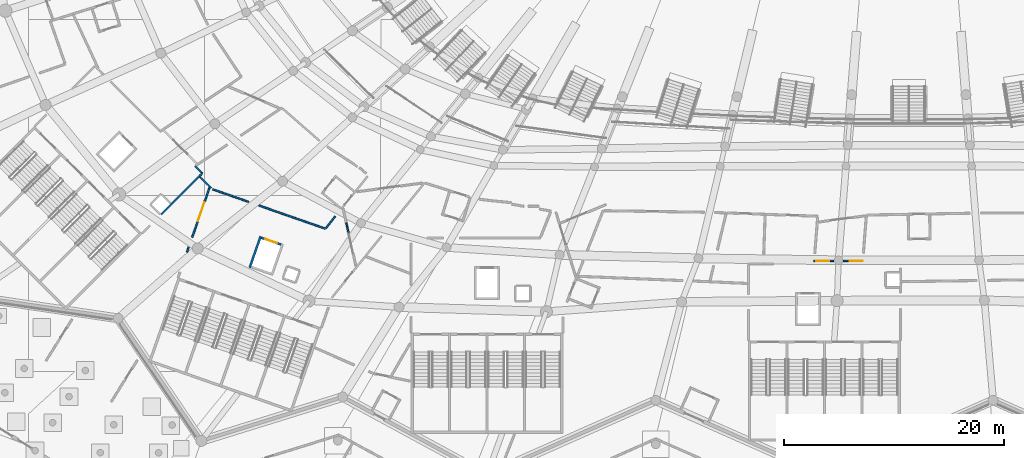
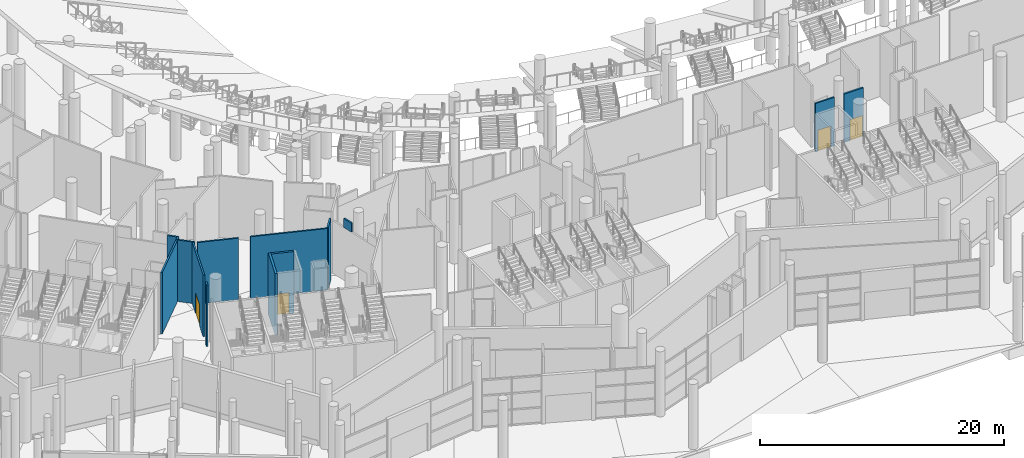
# One storey, part 107 of 255: 14 walls, 4 doors, 4 openings.
"""IFC4 building model written with IfcOpenShell, lengths in metres."""

from ifc_helpers import new_model, si_unit, direction, frame, frame_2d, origin, place, context, subcontext, project, spatial, rectangle, extrude, material, layer, layer_set, type_object, element, fill, save


model = new_model("IFC4")

# Units and contexts
model_context = context("Model", 3, precision=1e-05, world=origin(), true_north=direction((0.0, 1.0)))
body_context = subcontext(model_context, "Body", "Model", "MODEL_VIEW")
ifc_project = project(units=[si_unit("LENGTHUNIT", "METRE"), si_unit("AREAUNIT", "SQUARE_METRE"), si_unit("VOLUMEUNIT", "CUBIC_METRE"), si_unit("PLANEANGLEUNIT", "RADIAN"), si_unit("MASSUNIT", "GRAM", prefix="KILO")], contexts=[model_context])

# Site, building, storey
site_placement = place(None, origin())
site = spatial("IfcSite", under=ifc_project, at=site_placement, CompositionType="ELEMENT")
building_placement = place(site_placement, origin())
building = spatial("IfcBuilding", under=site, at=building_placement, Name="Meseta Stadium", CompositionType="ELEMENT")
storey_placement = place(building_placement, origin())
storey = spatial("IfcBuildingStorey", under=building, at=storey_placement, Name="L00", CompositionType="ELEMENT", Elevation=0.0)

# Wall
ifc_material_1 = material(Name="Concrete C40/50", Category="concrete")
ifc_layer_1 = layer(ifc_material_1, 0.199951171875)
ifc_layer_set_1 = layer_set([ifc_layer_1], Name="Core shaft wall 200")
wall_type_1 = type_object("IfcWallType", Name="Core shaft wall 200", PredefinedType="SHEAR", material=ifc_layer_set_1)
wall_1_placement = place(storey_placement, frame((-59.896240234375, -86.53369140625, 0.0), z_axis=(0.0, 0.0, 1.0), x_axis=(0.330328674497, 0.943865968666, 0.0)))
element("IfcWall", 1, at=wall_1_placement, inside=storey, type_object=wall_type_1, Name="Core 22 L00 lift shaft wall left", PredefinedType="SHEAR", context=body_context, shape_type="SweptSolid", body=[
    extrude(rectangle(XDim=3.0, YDim=0.199951171875, at=frame_2d((1.5, 0.0))), origin(), (0.0, 0.0, 1.0), 6.14990234375),
])

# Wall, opening, door
wall_2_placement = place(storey_placement, frame((-58.843994140625, -83.82958984375, 0.0), z_axis=(0.0, 0.0, 1.0), x_axis=(0.943902418729, -0.330224505327, 0.0)))
wall_2 = element("IfcWall", 2, at=wall_2_placement, inside=storey, type_object=wall_type_1, Name="Core 22 L00 lift shaft front wall", PredefinedType="SHEAR", context=body_context, shape_type="SweptSolid", body=[
    extrude(rectangle(XDim=1.900146484375, YDim=0.199951171875, at=frame_2d((0.9501953125, 0.0))), origin(), (0.0, 0.0, 1.0), 6.14990234375),
])
opening_1_placement = place(wall_2_placement, frame((0.39990234375, 0.0, 0.0)))
opening_1 = element("IfcOpeningElement", 3, at=opening_1_placement, cuts=wall_2, Name="Opening LD121", PredefinedType="OPENING", context=body_context, shape_type="SweptSolid", body=[
    extrude(rectangle(XDim=1.10009765625, YDim=2.10009765625, at=frame_2d((0.550048828125, 1.050048828125))), frame((0.0, 0.10986328125, 0.0), z_axis=(0.0, -1.0, 0.0), x_axis=(1.0, 0.0, 0.0)), (0.0, 0.0, 1.0), 0.219970703125),
])
ifc_material_2 = material(Name="Steel", Category="steel")
door_type_1 = type_object("IfcDoorType", Name="Lift landing door 1100x2100", OperationType="SLIDING_TO_LEFT", PredefinedType="DOOR", material=ifc_material_2)
door_1_placement = place(opening_1_placement, origin())
door_1 = element("IfcDoor", 4, at=door_1_placement, inside=storey, type_object=door_type_1, Name="Lift landing door LD121", OperationType="SLIDING_TO_LEFT", OverallHeight=2.10009765625, OverallWidth=1.10009765625, PredefinedType="DOOR", context=body_context, shape_type="SweptSolid", body=[
    extrude(rectangle(XDim=1.10009765625, YDim=2.10009765625, at=frame_2d((0.550048828125, 1.050048828125))), frame((0.0, 0.02490234375, 0.0), z_axis=(0.0, -1.0, 0.0), x_axis=(1.0, 0.0, 0.0)), (0.0, 0.0, 1.0), 0.050048828125),
])
fill(opening_1, door_1)

# Walls
ifc_material_3 = material(Name="Masonry blockwork", Category="masonry")
ifc_layer_2 = layer(ifc_material_3, 0.14990234375)
ifc_layer_set_2 = layer_set([ifc_layer_2], Name="Partition 150")
wall_type_2 = type_object("IfcWallType", Name="Partition 150", PredefinedType="PARTITIONING", material=ifc_layer_set_2)
wall_3_placement = place(storey_placement, frame((-53.026611328125, -83.004638671875, 0.0), z_axis=(0.0, 0.0, 1.0), x_axis=(-0.943881516526, 0.3302842454, 0.0)))
element("IfcWall", 5, at=wall_3_placement, inside=storey, type_object=wall_type_2, Name="Partition L00 L00-cell20-1-0", PredefinedType="PARTITIONING", context=body_context, shape_type="SweptSolid", body=[
    extrude(rectangle(XDim=6.40869140625, YDim=0.14990234375, at=frame_2d((3.204345703125, 0.0))), origin(), (0.0, 0.0, 1.0), 6.14990234375),
])
wall_4_placement = place(storey_placement, frame((-60.00634765625, -80.5625, 0.0), z_axis=(0.0, 0.0, 1.0), x_axis=(-0.943866077076, 0.33032836473, 0.0)))
element("IfcWall", 6, at=wall_4_placement, inside=storey, type_object=wall_type_2, Name="Partition L00 L00-cell20-1-0", PredefinedType="PARTITIONING", context=body_context, shape_type="SweptSolid", body=[
    extrude(rectangle(XDim=3.45068359375, YDim=0.14990234375, at=frame_2d((1.725341796875, 0.0))), origin(), (0.0, 0.0, 1.0), 6.14990234375),
])
wall_5_placement = place(storey_placement, frame((-63.396240234375, -79.296630859375, 0.0), z_axis=(0.0, 0.0, 1.0), x_axis=(-0.725626624964, 0.688088657909, 0.0)))
element("IfcWall", 7, at=wall_5_placement, inside=storey, type_object=wall_type_2, Name="Partition L00 L00-cell20-1-0", PredefinedType="PARTITIONING", context=body_context, shape_type="SweptSolid", body=[
    extrude(rectangle(XDim=1.515380859375, YDim=0.14990234375, at=frame_2d((0.7578125, 0.0))), origin(), (0.0, 0.0, 1.0), 6.14990234375),
])
wall_6_placement = place(storey_placement, frame((-64.495849609375, -78.25390625, 0.0), z_axis=(0.0, 0.0, 1.0), x_axis=(0.706798874946, 0.707414553409, 0.0)))
element("IfcWall", 8, at=wall_6_placement, inside=storey, type_object=wall_type_2, Name="Partition L00 L00-cell20-1-0", PredefinedType="PARTITIONING", context=body_context, shape_type="SweptSolid", body=[
    extrude(rectangle(XDim=0.396484375, YDim=0.14990234375, at=frame_2d((0.1982421875, 0.0))), origin(), (0.0, 0.0, 1.0), 6.14990234375),
])
wall_7_placement = place(storey_placement, frame((-64.215576171875, -77.973388671875, 0.0), z_axis=(0.0, 0.0, 1.0), x_axis=(-0.707106781187, 0.707106781187, 0.0)))
element("IfcWall", 9, at=wall_7_placement, inside=storey, type_object=wall_type_2, Name="Partition L00 L00-cell20-1-0", PredefinedType="PARTITIONING", context=body_context, shape_type="SweptSolid", body=[
    extrude(rectangle(XDim=0.907470703125, YDim=0.14990234375, at=frame_2d((0.45361328125, 0.0))), origin(), (0.0, 0.0, 1.0), 6.14990234375),
])
wall_8_placement = place(storey_placement, frame((-52.126220703125, -81.888916015625, 0.0), z_axis=(0.0, 0.0, 1.0), x_axis=(-0.628009689921, -0.778205518719, 0.0)))
element("IfcWall", 10, at=wall_8_placement, inside=storey, type_object=wall_type_2, Name="Partition L00 L00-cell20-1-0", PredefinedType="PARTITIONING", context=body_context, shape_type="SweptSolid", body=[
    extrude(rectangle(XDim=1.35400390625, YDim=0.14990234375, at=frame_2d((0.677001953125, 0.0))), origin(), (0.0, 0.0, 1.0), 6.14990234375),
])
wall_9_placement = place(storey_placement, frame((-67.9501953125, -81.708251953125, 0.0), z_axis=(0.0, 0.0, 1.0), x_axis=(0.707106781187, 0.707106781187, 0.0)))
element("IfcWall", 11, at=wall_9_placement, inside=storey, type_object=wall_type_2, Name="Partition L00 L00-cell20-2-0", PredefinedType="PARTITIONING", context=body_context, shape_type="SweptSolid", body=[
    extrude(rectangle(XDim=4.835205078125, YDim=0.14990234375, at=frame_2d((2.41748046875, 0.0))), origin(), (0.0, 0.0, 1.0), 6.14990234375),
])

# Wall, opening, door
wall_10_placement = place(storey_placement, frame((-63.53857421875, -79.230712890625, 0.0), z_axis=(0.0, 0.0, 1.0), x_axis=(-0.330262441411, -0.943889145924, 0.0)))
wall_10 = element("IfcWall", 12, at=wall_10_placement, inside=storey, type_object=wall_type_2, Name="Partition L00 L00-cell20-2-0", PredefinedType="PARTITIONING", context=body_context, shape_type="SweptSolid", body=[
    extrude(rectangle(XDim=4.820556640625, YDim=0.14990234375, at=frame_2d((2.41015625, 0.0))), origin(), (0.0, 0.0, 1.0), 6.14990234375),
])
opening_2_placement = place(wall_10_placement, frame((1.449951171875, 0.0, 0.0)))
opening_2 = element("IfcOpeningElement", 13, at=opening_2_placement, cuts=wall_10, Name="Opening D594", PredefinedType="OPENING", context=body_context, shape_type="SweptSolid", body=[
    extrude(rectangle(XDim=1.800048828125, YDim=2.10009765625, at=frame_2d((0.89990234375, 1.050048828125))), frame((0.0, 0.0849609375, 0.0), z_axis=(0.0, -1.0, 0.0), x_axis=(1.0, 0.0, 0.0)), (0.0, 0.0, 1.0), 0.169921875),
])
ifc_material_4 = material(Name="Timber", Category="wood")
door_type_2 = type_object("IfcDoorType", Name="Room double door 1800x2100", OperationType="DOUBLE_DOOR_SINGLE_SWING", PredefinedType="DOOR", material=ifc_material_4)
door_2_placement = place(opening_2_placement, origin())
door_2 = element("IfcDoor", 14, at=door_2_placement, inside=storey, type_object=door_type_2, Name="Door D594", OperationType="DOUBLE_DOOR_SINGLE_SWING", OverallHeight=2.10009765625, OverallWidth=1.800048828125, PredefinedType="DOOR", context=body_context, shape_type="SweptSolid", body=[
    extrude(rectangle(XDim=1.800048828125, YDim=2.10009765625, at=frame_2d((0.89990234375, 1.050048828125))), frame((0.0, 0.02490234375, 0.0), z_axis=(0.0, -1.0, 0.0), x_axis=(1.0, 0.0, 0.0)), (0.0, 0.0, 1.0), 0.050048828125),
])
fill(opening_2, door_2)

# Walls
wall_11_placement = place(storey_placement, frame((-65.44921875, -84.69091796875, 0.0), z_axis=(0.0, 0.0, 1.0), x_axis=(-0.330327857248, -0.943866254681, 0.0)))
element("IfcWall", 15, at=wall_11_placement, inside=storey, type_object=wall_type_2, Name="Partition L00 L00-cell20-2-0", PredefinedType="PARTITIONING", context=body_context, shape_type="SweptSolid", body=[
    extrude(rectangle(XDim=0.48193359375, YDim=0.14990234375, at=frame_2d((0.240966796875, 0.0))), origin(), (0.0, 0.0, 1.0), 6.14990234375),
])
wall_12_placement = place(storey_placement, frame((-51.12451171875, -82.47216796875, 5.25), z_axis=(0.0, 0.0, 1.0), x_axis=(0.217673873027, -0.976021559701, 0.0)))
element("IfcWall", 16, at=wall_12_placement, inside=storey, type_object=wall_type_2, Name="Escape corridor sector wall L00 core 22", PredefinedType="PARTITIONING", context=body_context, shape_type="SweptSolid", body=[
    extrude(rectangle(XDim=0.938720703125, YDim=0.14990234375, at=frame_2d((0.46923828125, 0.0))), origin(), (0.0, 0.0, 1.0), 0.89990234375),
])

# Wall, opening, door
wall_13_placement = place(storey_placement, frame((-8.65771484375, -85.925048828125, 0.0), z_axis=(0.0, 0.0, 1.0), x_axis=(1.0, 0.0, 0.0)))
wall_13 = element("IfcWall", 17, at=wall_13_placement, inside=storey, type_object=wall_type_2, Name="Escape corridor sector wall L00 core 24", PredefinedType="PARTITIONING", context=body_context, shape_type="SweptSolid", body=[
    extrude(rectangle(XDim=1.81982421875, YDim=0.14990234375, at=frame_2d((0.909912109375, 0.0))), origin(), (0.0, 0.0, 1.0), 4.85009765625),
])
opening_3_placement = place(wall_13_placement, frame((0.25, 0.0, 0.0)))
opening_3 = element("IfcOpeningElement", 18, at=opening_3_placement, cuts=wall_13, Name="Opening D428", PredefinedType="OPENING", context=body_context, shape_type="SweptSolid", body=[
    extrude(rectangle(XDim=1.199951171875, YDim=2.10009765625, at=frame_2d((0.60009765625, 1.050048828125))), frame((0.0, 0.0849609375, 0.0), z_axis=(0.0, -1.0, 0.0), x_axis=(1.0, 0.0, 0.0)), (0.0, 0.0, 1.0), 0.169921875),
])
ifc_material_5 = material(Name="Steel", Category="steel")
door_type_3 = type_object("IfcDoorType", Name="Fire door 1200x2100 EI2 60", OperationType="NOTDEFINED", PredefinedType="DOOR", material=ifc_material_5)
door_3_placement = place(opening_3_placement, origin())
door_3 = element("IfcDoor", 19, at=door_3_placement, inside=storey, type_object=door_type_3, Name="Escape corridor door EC24-1", OperationType="SINGLE_SWING_RIGHT", OverallHeight=2.10009765625, OverallWidth=1.199951171875, PredefinedType="DOOR", context=body_context, shape_type="SweptSolid", body=[
    extrude(rectangle(XDim=1.199951171875, YDim=2.10009765625, at=frame_2d((0.60009765625, 1.050048828125))), frame((0.0, 0.02490234375, 0.0), z_axis=(0.0, -1.0, 0.0), x_axis=(1.0, 0.0, 0.0)), (0.0, 0.0, 1.0), 0.050048828125),
])
fill(opening_3, door_3)

wall_14_placement = place(storey_placement, frame((-5.93603515625, -85.925048828125, 0.0), z_axis=(0.0, 0.0, 1.0), x_axis=(1.0, 0.0, 0.0)))
wall_14 = element("IfcWall", 20, at=wall_14_placement, inside=storey, type_object=wall_type_2, Name="Escape corridor sector wall L00 core 24", PredefinedType="PARTITIONING", context=body_context, shape_type="SweptSolid", body=[
    extrude(rectangle(XDim=1.812255859375, YDim=0.14990234375, at=frame_2d((0.90625, 0.0))), origin(), (0.0, 0.0, 1.0), 4.85009765625),
])
opening_4_placement = place(wall_14_placement, frame((0.550048828125, 0.0, 0.0)))
opening_4 = element("IfcOpeningElement", 21, at=opening_4_placement, cuts=wall_14, Name="Opening D1681", PredefinedType="OPENING", context=body_context, shape_type="SweptSolid", body=[
    extrude(rectangle(XDim=1.199951171875, YDim=2.10009765625, at=frame_2d((0.60009765625, 1.050048828125))), frame((0.0, 0.0849609375, 0.0), z_axis=(0.0, -1.0, 0.0), x_axis=(1.0, 0.0, 0.0)), (0.0, 0.0, 1.0), 0.169921875),
])
door_4_placement = place(opening_4_placement, origin())
door_4 = element("IfcDoor", 22, at=door_4_placement, inside=storey, type_object=door_type_3, Name="Escape corridor door EC24-2", OperationType="SINGLE_SWING_RIGHT", OverallHeight=2.10009765625, OverallWidth=1.199951171875, PredefinedType="DOOR", context=body_context, shape_type="SweptSolid", body=[
    extrude(rectangle(XDim=1.199951171875, YDim=2.10009765625, at=frame_2d((0.60009765625, 1.050048828125))), frame((0.0, 0.02490234375, 0.0), z_axis=(0.0, -1.0, 0.0), x_axis=(1.0, 0.0, 0.0)), (0.0, 0.0, 1.0), 0.050048828125),
])
fill(opening_4, door_4)

save(model, "model.ifc")
